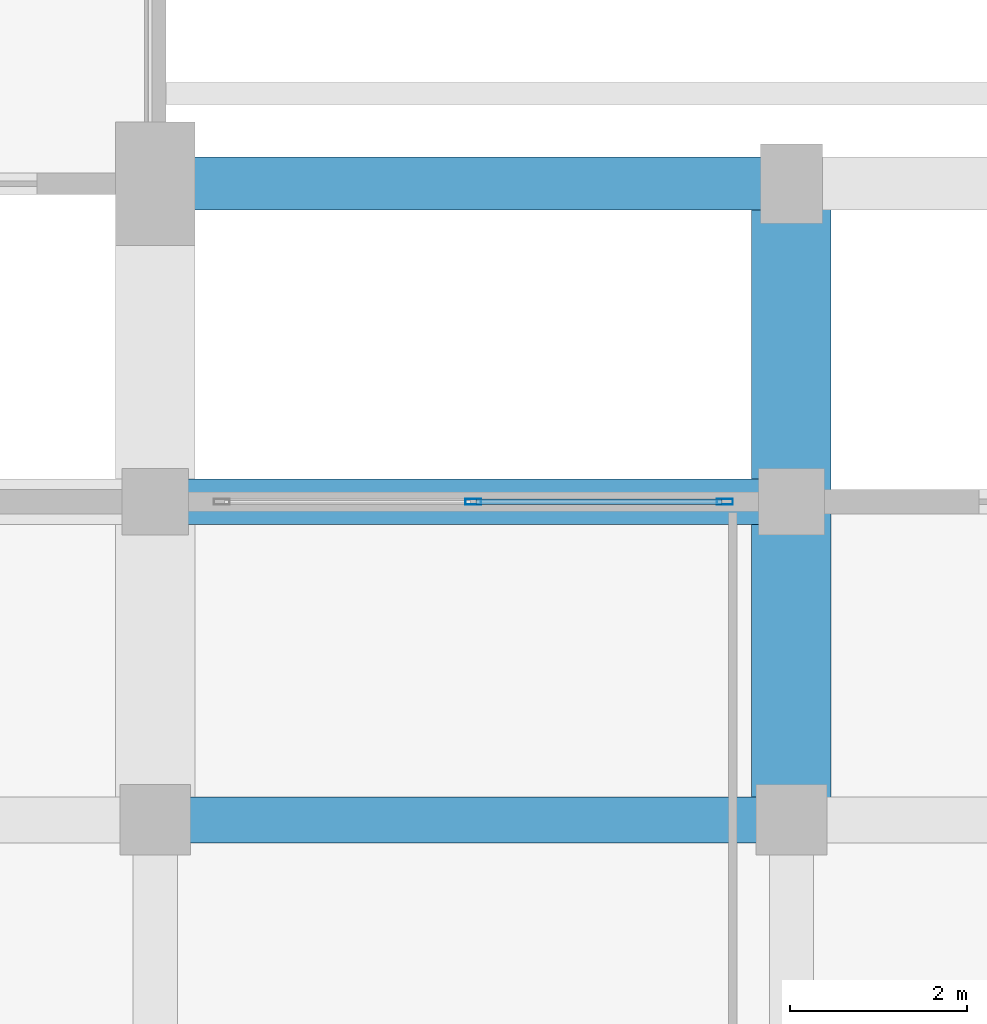
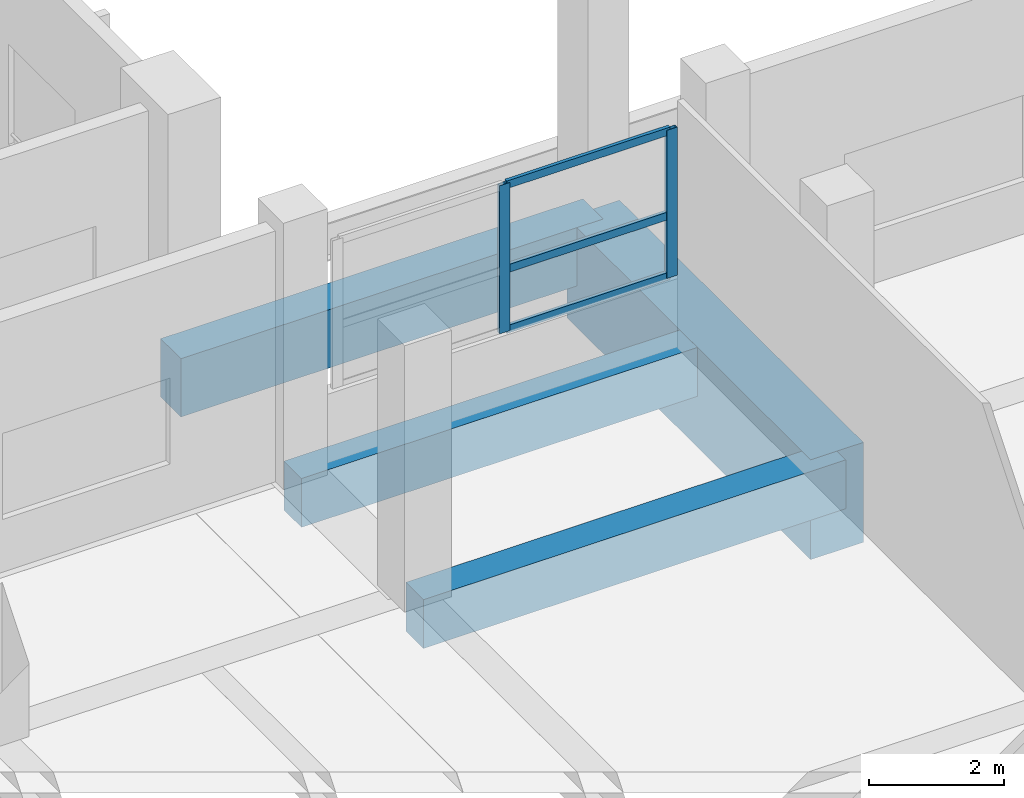
# One storey, part 63 of 140: 5 members, 4 beams, 1 element without a shape of its own.
"""IFC4 building model written with IfcOpenShell, lengths in metres."""

from ifc_helpers import new_model, si_unit, direction, frame, origin, origin_2d, place, context, subcontext, project, spatial, rectangle, hollow_rectangle, extrude, material, layer, layer_set, material_profile, profile_set, type_object, element, aggregate, save


model = new_model("IFC4")

# Units and contexts
model_context = context("Model", 3, precision=1e-05, world=origin(), true_north=direction((0.0, 1.0)))
body_context = subcontext(model_context, "Body", "Model", "MODEL_VIEW")
ifc_project = project(units=[si_unit("LENGTHUNIT", "METRE"), si_unit("AREAUNIT", "SQUARE_METRE"), si_unit("VOLUMEUNIT", "CUBIC_METRE"), si_unit("PLANEANGLEUNIT", "RADIAN"), si_unit("MASSUNIT", "GRAM", prefix="KILO")], contexts=[model_context])

# Site, building, storey
site_placement = place(None, origin())
site = spatial("IfcSite", under=ifc_project, at=site_placement, CompositionType="ELEMENT")
building_placement = place(site_placement, origin())
building = spatial("IfcBuilding", under=site, at=building_placement, Name="Seraya Terrace Polytechnic", CompositionType="ELEMENT")
storey_placement = place(building_placement, frame((0.0, 0.0, 9.60009765625)))
storey = spatial("IfcBuildingStorey", under=building, at=storey_placement, Name="L02", CompositionType="ELEMENT", Elevation=9.60009765625)

# Beams
ifc_material_1 = material(Name="Concrete C40/50", Category="concrete")
ifc_material_profile_1 = material_profile(ifc_material_1, rectangle(XDim=0.60009765625, YDim=1.050048828125, at=origin_2d()), Name="RC 600x1050")
ifc_profile_set_1 = profile_set([ifc_material_profile_1], Name="Concrete C40/50")
beam_type_1 = type_object("IfcBeamType", Name="BM-01", PredefinedType="BEAM", material=ifc_profile_set_1)
beam_1_placement = place(storey_placement, frame((28.800048828125, 79.199951171875, -0.525146484375), z_axis=(1.0, 0.0, 0.0), x_axis=(0.0, 1.0, 0.0)))
element("IfcBeam", 1, at=beam_1_placement, inside=storey, type_object=beam_type_1, Name="Beam BM-01 L02 X (28.8..36.0, 79.2)", PredefinedType="BEAM", context=body_context, shape_type="SweptSolid", body=[
    extrude(rectangle(XDim=0.60009765625, YDim=1.050048828125, at=origin_2d()), origin(), (0.0, 0.0, 1.0), 7.199951171875),
])
ifc_material_profile_2 = material_profile(ifc_material_1, rectangle(XDim=0.52001953125, YDim=0.8798828125, at=origin_2d()), Name="RC 520x880")
ifc_profile_set_2 = profile_set([ifc_material_profile_2], Name="Concrete C40/50")
beam_type_2 = type_object("IfcBeamType", Name="BM-04", PredefinedType="BEAM", material=ifc_profile_set_2)
for number, where, z_axis, x_axis, name in (
    (2, (28.800048828125, 72.0, -0.440185546875), (1.0, 0.0, 0.0), (0.0, 1.0, 0.0), "Beam BM-04 L02 X (28.8..36.0, 72.0)"),
    (3, (28.800048828125, 75.60009765625, -0.440185546875), (1.0, 0.0, 0.0), (0.0, 1.0, 0.0), "Beam BM-04 L02 X (28.8..36.0, 75.6)"),
):
    element("IfcBeam", number, at=place(storey_placement, frame(where, z_axis=z_axis, x_axis=x_axis)), inside=storey, type_object=beam_type_2, Name=name, PredefinedType="BEAM", context=body_context, shape_type="SweptSolid", body=[
        extrude(rectangle(XDim=0.52001953125, YDim=0.8798828125, at=origin_2d()), origin(), (0.0, 0.0, 1.0), 7.199951171875),
    ])

# Curtain wall, members
ifc_material_2 = material(Name="Anodised aluminium EN AW-6063 T6", Category="aluminium")
ifc_layer = layer(ifc_material_2, 0.179931640625, Name="CW-22")
ifc_layer_set = layer_set([ifc_layer], Name="Anodised aluminium EN AW-6063 T6")
curtain_wall_type = type_object("IfcCurtainWallType", Name="CW-22", PredefinedType="NOTDEFINED", material=ifc_layer_set)
curtain_wall_placement = place(storey_placement, origin())
curtain_wall = element("IfcCurtainWall", 4, at=curtain_wall_placement, inside=storey, type_object=curtain_wall_type, Name="Unitised curtain wall CW-22 (CW-L02-058)", PredefinedType="NOTDEFINED")
ifc_material_profile_3 = material_profile(ifc_material_2, hollow_rectangle(XDim=0.06494140625, YDim=0.179931640625, WallThickness=0.00390625, at=origin_2d()), Name="RHS 180x65x4.0")
ifc_profile_set_3 = profile_set([ifc_material_profile_3], Name="Anodised aluminium EN AW-6063 T6")
member_type_1 = type_object("IfcMemberType", Name="CWM-01", PredefinedType="MULLION", material=ifc_profile_set_3)
member_1_placement = place(storey_placement, frame((32.39990234375, 75.60009765625, 1.239990234375), z_axis=(0.0, 0.0, 1.0), x_axis=(0.0, 1.0, 0.0)))
member_1 = element("IfcMember", 5, at=member_1_placement, type_object=member_type_1, Name="CW-22 mullion 2", PredefinedType="MULLION", context=body_context, shape_type="SweptSolid", body=[
    extrude(hollow_rectangle(XDim=0.06494140625, YDim=0.179931640625, WallThickness=0.00390625, at=origin_2d()), origin(), (0.0, 0.0, 1.0), 2.669921875),
])
member_2_placement = place(storey_placement, frame((35.24755859375, 75.60009765625, 1.239990234375), z_axis=(0.0, 0.0, 1.0), x_axis=(0.0, 1.0, 0.0)))
member_2 = element("IfcMember", 6, at=member_2_placement, type_object=member_type_1, Name="CW-22 mullion 3", PredefinedType="MULLION", context=body_context, shape_type="SweptSolid", body=[
    extrude(hollow_rectangle(XDim=0.06494140625, YDim=0.179931640625, WallThickness=0.00390625, at=origin_2d()), origin(), (0.0, 0.0, 1.0), 2.669921875),
])
ifc_material_profile_4 = material_profile(ifc_material_2, hollow_rectangle(XDim=0.06005859375, YDim=0.139892578125, WallThickness=0.00341796875, at=origin_2d()), Name="RHS 140x60x3.5")
ifc_profile_set_4 = profile_set([ifc_material_profile_4], Name="Anodised aluminium EN AW-6063 T6")
member_type_2 = type_object("IfcMemberType", Name="CWT-01", PredefinedType="USERDEFINED", material=ifc_profile_set_4)
member_3_placement = place(storey_placement, frame((32.4326171875, 75.60009765625, 1.27001953125), z_axis=(1.0, 0.0, 0.0), x_axis=(0.0, 1.0, 0.0)))
member_3 = element("IfcMember", 7, at=member_3_placement, type_object=member_type_2, Name="CW-22 transom 2.1", ObjectType="TRANSOM", PredefinedType="USERDEFINED", context=body_context, shape_type="SweptSolid", body=[
    extrude(hollow_rectangle(XDim=0.06005859375, YDim=0.139892578125, WallThickness=0.00341796875, at=origin_2d()), origin(), (0.0, 0.0, 1.0), 2.782470703125),
])
member_4_placement = place(storey_placement, frame((32.4326171875, 75.60009765625, 2.361328125), z_axis=(1.0, 0.0, 0.0), x_axis=(0.0, 1.0, 0.0)))
member_4 = element("IfcMember", 8, at=member_4_placement, type_object=member_type_2, Name="CW-22 transom 2.2", ObjectType="TRANSOM", PredefinedType="USERDEFINED", context=body_context, shape_type="SweptSolid", body=[
    extrude(hollow_rectangle(XDim=0.06005859375, YDim=0.139892578125, WallThickness=0.00341796875, at=origin_2d()), origin(), (0.0, 0.0, 1.0), 2.782470703125),
])
member_5_placement = place(storey_placement, frame((32.4326171875, 75.60009765625, 3.8798828125), z_axis=(1.0, 0.0, 0.0), x_axis=(0.0, 1.0, 0.0)))
member_5 = element("IfcMember", 9, at=member_5_placement, type_object=member_type_2, Name="CW-22 transom 2.3", ObjectType="TRANSOM", PredefinedType="USERDEFINED", context=body_context, shape_type="SweptSolid", body=[
    extrude(hollow_rectangle(XDim=0.06005859375, YDim=0.139892578125, WallThickness=0.00341796875, at=origin_2d()), origin(), (0.0, 0.0, 1.0), 2.782470703125),
])
aggregate(curtain_wall, [member_1, member_2, member_3, member_4, member_5])

# Beam
ifc_material_profile_5 = material_profile(ifc_material_1, rectangle(XDim=0.89990234375, YDim=1.800048828125, at=origin_2d()), Name="RC 900x1800")
ifc_profile_set_5 = profile_set([ifc_material_profile_5], Name="Concrete C40/50")
beam_type_3 = type_object("IfcBeamType", Name="TG-01", PredefinedType="USERDEFINED", material=ifc_profile_set_5)
beam_2_placement = place(storey_placement, frame((36.0, 72.0, -0.900146484375), z_axis=(0.0, 1.0, 0.0), x_axis=(-1.0, 0.0, 0.0)))
element("IfcBeam", 10, at=beam_2_placement, inside=storey, type_object=beam_type_3, Name="Transfer girder TG-01 L02 #11", ObjectType="GIRDER", PredefinedType="USERDEFINED", context=body_context, shape_type="SweptSolid", body=[
    extrude(rectangle(XDim=0.89990234375, YDim=1.800048828125, at=origin_2d()), origin(), (0.0, 0.0, 1.0), 7.199951171875),
])

save(model, "model.ifc")
